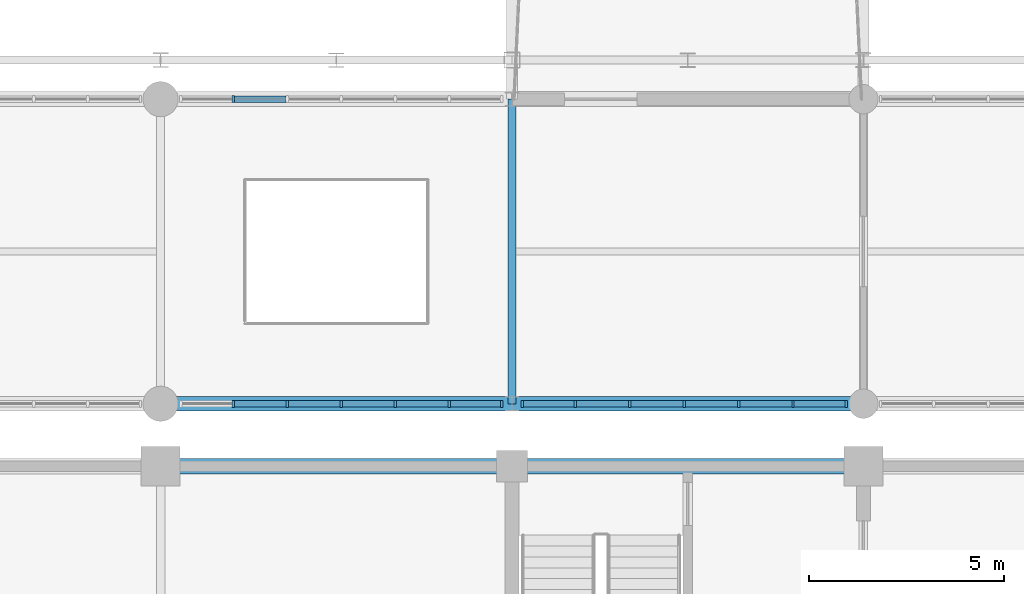
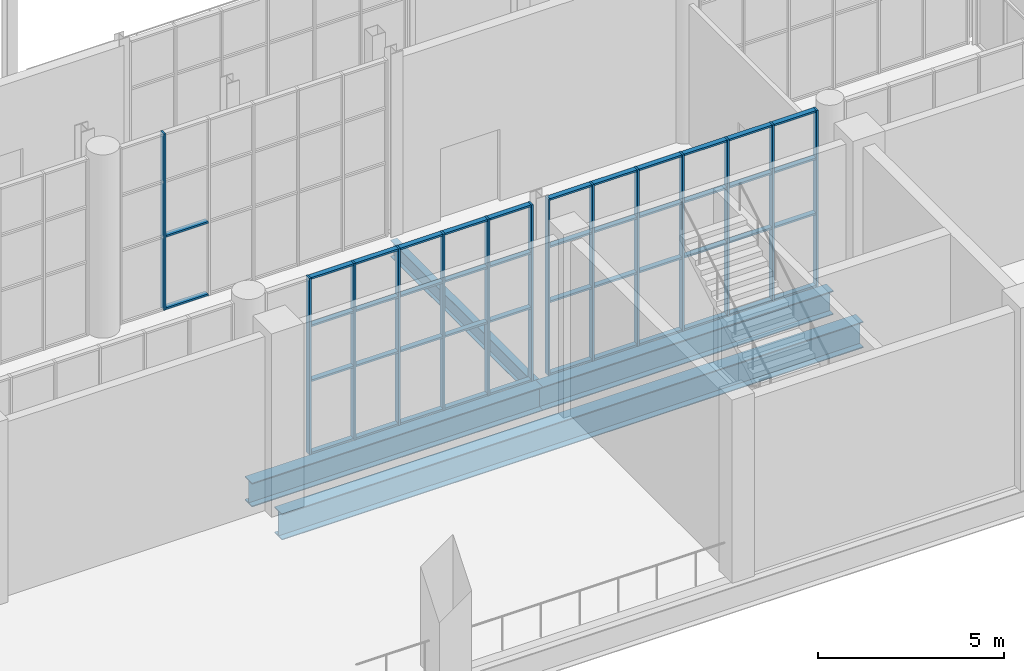
# One storey, part 65 of 159: 60 members, 4 beams, 3 elements without a shape of their own.
"""IFC4 building model written with IfcOpenShell, lengths in metres."""

from ifc_helpers import new_model, si_unit, direction, frame, origin, origin_2d, place, context, subcontext, project, spatial, rectangle, i_section, extrude, material, layer, layer_set, material_profile, profile_set, type_object, element, aggregate, save


model = new_model("IFC4")

# Units and contexts
model_context = context("Model", 3, precision=1e-05, world=origin(), true_north=direction((0.0, 1.0)))
body_context = subcontext(model_context, "Body", "Model", "MODEL_VIEW")
ifc_project = project(units=[si_unit("LENGTHUNIT", "METRE"), si_unit("AREAUNIT", "SQUARE_METRE"), si_unit("VOLUMEUNIT", "CUBIC_METRE"), si_unit("PLANEANGLEUNIT", "RADIAN"), si_unit("MASSUNIT", "GRAM", prefix="KILO")], contexts=[model_context])

# Site, building, storey
site_placement = place(None, origin())
site = spatial("IfcSite", under=ifc_project, at=site_placement, CompositionType="ELEMENT")
building_placement = place(site_placement, origin())
building = spatial("IfcBuilding", under=site, at=building_placement, Name="Cazmaro Siding Exhibition Halls", CompositionType="ELEMENT")
storey_placement = place(building_placement, frame((0.0, 0.0, 6.0)))
storey = spatial("IfcBuildingStorey", under=building, at=storey_placement, Name="L01", CompositionType="ELEMENT", Elevation=6.0)

# Beam
ifc_material_1 = material(Name="Steel ASTM A992 Grade 50", Category="steel")
ifc_material_profile_1 = material_profile(ifc_material_1, i_section(OverallWidth=0.2099609375, OverallDepth=0.535888671875, WebThickness=0.010986328125, FlangeThickness=0.01708984375, at=origin_2d()), Name="W21X68")
ifc_profile_set_1 = profile_set([ifc_material_profile_1], Name="Steel ASTM A992 Grade 50")
beam_type_1 = type_object("IfcBeamType", Name="B-02", PredefinedType="BEAM", material=ifc_profile_set_1)
beam_1_placement = place(storey_placement, frame((135.0, 55.199951171875, -0.488037109375), z_axis=(0.0, 1.0, 0.0), x_axis=(-1.0, 0.0, 0.0)))
element("IfcBeam", 1, at=beam_1_placement, inside=storey, type_object=beam_type_1, Name="Beam B-02 BM-1717", PredefinedType="BEAM", context=body_context, shape_type="SweptSolid", body=[
    extrude(i_section(OverallWidth=0.2099609375, OverallDepth=0.535888671875, WebThickness=0.010986328125, FlangeThickness=0.01708984375, at=origin_2d()), origin(), (0.0, 0.0, 1.0), 7.800048828125),
])

# Curtain wall, members
ifc_material_2 = material(Name="Anodized Bronze Aluminum and Solar-Control Low-E Glazing", Category="aluminium")
ifc_layer = layer(ifc_material_2, 0.179931640625)
ifc_layer_set = layer_set([ifc_layer], Name="Anodized Bronze Aluminum and Solar-Control Low-E Glazing")
curtain_wall_type = type_object("IfcCurtainWallType", Name="CWS-01", PredefinedType="USERDEFINED", material=ifc_layer_set)
curtain_wall_1_placement = place(storey_placement, origin())
curtain_wall_1 = element("IfcCurtainWall", 2, at=curtain_wall_1_placement, inside=storey, type_object=curtain_wall_type, Name="Glazed Curtain Wall CWS-01 CW-192", ObjectType="GLAZED CURTAIN WALL", PredefinedType="USERDEFINED")
ifc_material_3 = material(Name="Anodized Bronze Extruded Aluminum", Category="aluminium")
ifc_material_profile_2 = material_profile(ifc_material_3, rectangle(XDim=0.179931640625, YDim=0.06005859375, at=origin_2d()), Name="CWM-01")
ifc_profile_set_2 = profile_set([ifc_material_profile_2], Name="Anodized Bronze Extruded Aluminum")
member_type_1 = type_object("IfcMemberType", Name="CWM-01", PredefinedType="MULLION", material=ifc_profile_set_2)
member_1_placement = place(storey_placement, frame((127.8642578125, 55.199951171875, 0.0), z_axis=(0.0, 0.0, 1.0), x_axis=(0.0, 1.0, 0.0)))
member_1 = element("IfcMember", 3, at=member_1_placement, type_object=member_type_1, Name="CWS-01 mullion 2", PredefinedType="MULLION", context=body_context, shape_type="SweptSolid", body=[
    extrude(rectangle(XDim=0.179931640625, YDim=0.06005859375, at=origin_2d()), origin(), (0.0, 0.0, 1.0), 5.780029296875),
])
member_2_placement = place(storey_placement, frame((129.245361328125, 55.199951171875, 0.0), z_axis=(0.0, 0.0, 1.0), x_axis=(0.0, 1.0, 0.0)))
member_2 = element("IfcMember", 4, at=member_2_placement, type_object=member_type_1, Name="CWS-01 mullion 3", PredefinedType="MULLION", context=body_context, shape_type="SweptSolid", body=[
    extrude(rectangle(XDim=0.179931640625, YDim=0.06005859375, at=origin_2d()), origin(), (0.0, 0.0, 1.0), 5.780029296875),
])
member_3_placement = place(storey_placement, frame((130.62646484375, 55.199951171875, 0.0), z_axis=(0.0, 0.0, 1.0), x_axis=(0.0, 1.0, 0.0)))
member_3 = element("IfcMember", 5, at=member_3_placement, type_object=member_type_1, Name="CWS-01 mullion 4", PredefinedType="MULLION", context=body_context, shape_type="SweptSolid", body=[
    extrude(rectangle(XDim=0.179931640625, YDim=0.06005859375, at=origin_2d()), origin(), (0.0, 0.0, 1.0), 5.780029296875),
])
member_4_placement = place(storey_placement, frame((132.007568359375, 55.199951171875, 0.0), z_axis=(0.0, 0.0, 1.0), x_axis=(0.0, 1.0, 0.0)))
member_4 = element("IfcMember", 6, at=member_4_placement, type_object=member_type_1, Name="CWS-01 mullion 5", PredefinedType="MULLION", context=body_context, shape_type="SweptSolid", body=[
    extrude(rectangle(XDim=0.179931640625, YDim=0.06005859375, at=origin_2d()), origin(), (0.0, 0.0, 1.0), 5.780029296875),
])
member_5_placement = place(storey_placement, frame((133.388916015625, 55.199951171875, 0.0), z_axis=(0.0, 0.0, 1.0), x_axis=(0.0, 1.0, 0.0)))
member_5 = element("IfcMember", 7, at=member_5_placement, type_object=member_type_1, Name="CWS-01 mullion 6", PredefinedType="MULLION", context=body_context, shape_type="SweptSolid", body=[
    extrude(rectangle(XDim=0.179931640625, YDim=0.06005859375, at=origin_2d()), origin(), (0.0, 0.0, 1.0), 5.780029296875),
])
member_6_placement = place(storey_placement, frame((134.739990234375, 55.199951171875, 0.0), z_axis=(0.0, 0.0, 1.0), x_axis=(0.0, 1.0, 0.0)))
member_6 = element("IfcMember", 8, at=member_6_placement, type_object=member_type_1, Name="CWS-01 mullion 7", PredefinedType="MULLION", context=body_context, shape_type="SweptSolid", body=[
    extrude(rectangle(XDim=0.179931640625, YDim=0.06005859375, at=origin_2d()), origin(), (0.0, 0.0, 1.0), 5.780029296875),
])

# Curtain wall, member
curtain_wall_2_placement = place(storey_placement, origin())
curtain_wall_2 = element("IfcCurtainWall", 9, at=curtain_wall_2_placement, inside=storey, type_object=curtain_wall_type, Name="Glazed Curtain Wall CWS-01 CW-194", ObjectType="GLAZED CURTAIN WALL", PredefinedType="USERDEFINED")
member_7_placement = place(storey_placement, frame((127.8642578125, 63.0, 0.0), z_axis=(0.0, 0.0, 1.0), x_axis=(0.0, -1.0, 0.0)))
member_7 = element("IfcMember", 10, at=member_7_placement, type_object=member_type_1, Name="CWS-01 mullion 6", PredefinedType="MULLION", context=body_context, shape_type="SweptSolid", body=[
    extrude(rectangle(XDim=0.179931640625, YDim=0.06005859375, at=origin_2d()), origin(), (0.0, 0.0, 1.0), 5.780029296875),
])

# Curtain wall, members
curtain_wall_3_placement = place(storey_placement, origin())
curtain_wall_3 = element("IfcCurtainWall", 11, at=curtain_wall_3_placement, inside=storey, type_object=curtain_wall_type, Name="Glazed Curtain Wall CWS-01 CW-198", ObjectType="GLAZED CURTAIN WALL", PredefinedType="USERDEFINED")
member_8_placement = place(storey_placement, frame((135.260009765625, 55.199951171875, 0.0), z_axis=(0.0, 0.0, 1.0), x_axis=(0.0, 1.0, 0.0)))
member_8 = element("IfcMember", 12, at=member_8_placement, type_object=member_type_1, Name="CWS-01 mullion 1", PredefinedType="MULLION", context=body_context, shape_type="SweptSolid", body=[
    extrude(rectangle(XDim=0.179931640625, YDim=0.06005859375, at=origin_2d()), origin(), (0.0, 0.0, 1.0), 5.780029296875),
])
member_9_placement = place(storey_placement, frame((136.623779296875, 55.199951171875, 0.0), z_axis=(0.0, 0.0, 1.0), x_axis=(0.0, 1.0, 0.0)))
member_9 = element("IfcMember", 13, at=member_9_placement, type_object=member_type_1, Name="CWS-01 mullion 2", PredefinedType="MULLION", context=body_context, shape_type="SweptSolid", body=[
    extrude(rectangle(XDim=0.179931640625, YDim=0.06005859375, at=origin_2d()), origin(), (0.0, 0.0, 1.0), 5.780029296875),
])
member_10_placement = place(storey_placement, frame((138.017333984375, 55.199951171875, 0.0), z_axis=(0.0, 0.0, 1.0), x_axis=(0.0, 1.0, 0.0)))
member_10 = element("IfcMember", 14, at=member_10_placement, type_object=member_type_1, Name="CWS-01 mullion 3", PredefinedType="MULLION", context=body_context, shape_type="SweptSolid", body=[
    extrude(rectangle(XDim=0.179931640625, YDim=0.06005859375, at=origin_2d()), origin(), (0.0, 0.0, 1.0), 5.780029296875),
])
member_11_placement = place(storey_placement, frame((139.410888671875, 55.199951171875, 0.0), z_axis=(0.0, 0.0, 1.0), x_axis=(0.0, 1.0, 0.0)))
member_11 = element("IfcMember", 15, at=member_11_placement, type_object=member_type_1, Name="CWS-01 mullion 4", PredefinedType="MULLION", context=body_context, shape_type="SweptSolid", body=[
    extrude(rectangle(XDim=0.179931640625, YDim=0.06005859375, at=origin_2d()), origin(), (0.0, 0.0, 1.0), 5.780029296875),
])
member_12_placement = place(storey_placement, frame((140.8046875, 55.199951171875, 0.0), z_axis=(0.0, 0.0, 1.0), x_axis=(0.0, 1.0, 0.0)))
member_12 = element("IfcMember", 16, at=member_12_placement, type_object=member_type_1, Name="CWS-01 mullion 5", PredefinedType="MULLION", context=body_context, shape_type="SweptSolid", body=[
    extrude(rectangle(XDim=0.179931640625, YDim=0.06005859375, at=origin_2d()), origin(), (0.0, 0.0, 1.0), 5.780029296875),
])
member_13_placement = place(storey_placement, frame((142.1982421875, 55.199951171875, 0.0), z_axis=(0.0, 0.0, 1.0), x_axis=(0.0, 1.0, 0.0)))
member_13 = element("IfcMember", 17, at=member_13_placement, type_object=member_type_1, Name="CWS-01 mullion 6", PredefinedType="MULLION", context=body_context, shape_type="SweptSolid", body=[
    extrude(rectangle(XDim=0.179931640625, YDim=0.06005859375, at=origin_2d()), origin(), (0.0, 0.0, 1.0), 5.780029296875),
])
member_14_placement = place(storey_placement, frame((143.56201171875, 55.199951171875, 0.0), z_axis=(0.0, 0.0, 1.0), x_axis=(0.0, 1.0, 0.0)))
member_14 = element("IfcMember", 18, at=member_14_placement, type_object=member_type_1, Name="CWS-01 mullion 7", PredefinedType="MULLION", context=body_context, shape_type="SweptSolid", body=[
    extrude(rectangle(XDim=0.179931640625, YDim=0.06005859375, at=origin_2d()), origin(), (0.0, 0.0, 1.0), 5.780029296875),
])

# Member
ifc_material_4 = material(Name="Anodized Bronze Extruded Aluminum", Category="aluminium")
ifc_material_profile_3 = material_profile(ifc_material_4, rectangle(XDim=0.159912109375, YDim=0.06005859375, at=origin_2d()), Name="CWT-01")
ifc_profile_set_3 = profile_set([ifc_material_profile_3], Name="Anodized Bronze Extruded Aluminum")
member_type_2 = type_object("IfcMemberType", Name="CWT-01", PredefinedType="MULLION", material=ifc_profile_set_3)
member_15_placement = place(storey_placement, frame((127.894287109375, 55.199951171875, 0.030029296875), z_axis=(1.0, 0.0, 0.0), x_axis=(0.0, 1.0, 0.0)))
member_15 = element("IfcMember", 19, at=member_15_placement, type_object=member_type_2, Name="CWS-01 transom 2.1", ObjectType="TRANSOM", PredefinedType="USERDEFINED", context=body_context, shape_type="SweptSolid", body=[
    extrude(rectangle(XDim=0.159912109375, YDim=0.06005859375, at=origin_2d()), origin(), (0.0, 0.0, 1.0), 1.321044921875),
])

member_16_placement = place(storey_placement, frame((127.894287109375, 55.199951171875, 2.39990234375), z_axis=(1.0, 0.0, 0.0), x_axis=(0.0, 1.0, 0.0)))
member_16 = element("IfcMember", 20, at=member_16_placement, type_object=member_type_2, Name="CWS-01 transom 2.2", ObjectType="TRANSOM", PredefinedType="USERDEFINED", context=body_context, shape_type="SweptSolid", body=[
    extrude(rectangle(XDim=0.159912109375, YDim=0.06005859375, at=origin_2d()), origin(), (0.0, 0.0, 1.0), 1.321044921875),
])

member_17_placement = place(storey_placement, frame((127.894287109375, 55.199951171875, 4.199951171875), z_axis=(1.0, 0.0, 0.0), x_axis=(0.0, 1.0, 0.0)))
member_17 = element("IfcMember", 21, at=member_17_placement, type_object=member_type_2, Name="CWS-01 transom 2.3", ObjectType="TRANSOM", PredefinedType="USERDEFINED", context=body_context, shape_type="SweptSolid", body=[
    extrude(rectangle(XDim=0.159912109375, YDim=0.06005859375, at=origin_2d()), origin(), (0.0, 0.0, 1.0), 1.321044921875),
])

member_18_placement = place(storey_placement, frame((127.894287109375, 55.199951171875, 5.75), z_axis=(1.0, 0.0, 0.0), x_axis=(0.0, 1.0, 0.0)))
member_18 = element("IfcMember", 22, at=member_18_placement, type_object=member_type_2, Name="CWS-01 transom 2.4", ObjectType="TRANSOM", PredefinedType="USERDEFINED", context=body_context, shape_type="SweptSolid", body=[
    extrude(rectangle(XDim=0.159912109375, YDim=0.06005859375, at=origin_2d()), origin(), (0.0, 0.0, 1.0), 1.321044921875),
])

member_19_placement = place(storey_placement, frame((129.275390625, 55.199951171875, 0.030029296875), z_axis=(1.0, 0.0, 0.0), x_axis=(0.0, 1.0, 0.0)))
member_19 = element("IfcMember", 23, at=member_19_placement, type_object=member_type_2, Name="CWS-01 transom 3.1", ObjectType="TRANSOM", PredefinedType="USERDEFINED", context=body_context, shape_type="SweptSolid", body=[
    extrude(rectangle(XDim=0.159912109375, YDim=0.06005859375, at=origin_2d()), origin(), (0.0, 0.0, 1.0), 1.321044921875),
])

member_20_placement = place(storey_placement, frame((129.275390625, 55.199951171875, 2.39990234375), z_axis=(1.0, 0.0, 0.0), x_axis=(0.0, 1.0, 0.0)))
member_20 = element("IfcMember", 24, at=member_20_placement, type_object=member_type_2, Name="CWS-01 transom 3.2", ObjectType="TRANSOM", PredefinedType="USERDEFINED", context=body_context, shape_type="SweptSolid", body=[
    extrude(rectangle(XDim=0.159912109375, YDim=0.06005859375, at=origin_2d()), origin(), (0.0, 0.0, 1.0), 1.321044921875),
])

member_21_placement = place(storey_placement, frame((129.275390625, 55.199951171875, 4.199951171875), z_axis=(1.0, 0.0, 0.0), x_axis=(0.0, 1.0, 0.0)))
member_21 = element("IfcMember", 25, at=member_21_placement, type_object=member_type_2, Name="CWS-01 transom 3.3", ObjectType="TRANSOM", PredefinedType="USERDEFINED", context=body_context, shape_type="SweptSolid", body=[
    extrude(rectangle(XDim=0.159912109375, YDim=0.06005859375, at=origin_2d()), origin(), (0.0, 0.0, 1.0), 1.321044921875),
])

member_22_placement = place(storey_placement, frame((129.275390625, 55.199951171875, 5.75), z_axis=(1.0, 0.0, 0.0), x_axis=(0.0, 1.0, 0.0)))
member_22 = element("IfcMember", 26, at=member_22_placement, type_object=member_type_2, Name="CWS-01 transom 3.4", ObjectType="TRANSOM", PredefinedType="USERDEFINED", context=body_context, shape_type="SweptSolid", body=[
    extrude(rectangle(XDim=0.159912109375, YDim=0.06005859375, at=origin_2d()), origin(), (0.0, 0.0, 1.0), 1.321044921875),
])

member_23_placement = place(storey_placement, frame((130.656494140625, 55.199951171875, 0.030029296875), z_axis=(1.0, 0.0, 0.0), x_axis=(0.0, 1.0, 0.0)))
member_23 = element("IfcMember", 27, at=member_23_placement, type_object=member_type_2, Name="CWS-01 transom 4.1", ObjectType="TRANSOM", PredefinedType="USERDEFINED", context=body_context, shape_type="SweptSolid", body=[
    extrude(rectangle(XDim=0.159912109375, YDim=0.06005859375, at=origin_2d()), origin(), (0.0, 0.0, 1.0), 1.3212890625),
])

member_24_placement = place(storey_placement, frame((130.656494140625, 55.199951171875, 2.39990234375), z_axis=(1.0, 0.0, 0.0), x_axis=(0.0, 1.0, 0.0)))
member_24 = element("IfcMember", 28, at=member_24_placement, type_object=member_type_2, Name="CWS-01 transom 4.2", ObjectType="TRANSOM", PredefinedType="USERDEFINED", context=body_context, shape_type="SweptSolid", body=[
    extrude(rectangle(XDim=0.159912109375, YDim=0.06005859375, at=origin_2d()), origin(), (0.0, 0.0, 1.0), 1.3212890625),
])

member_25_placement = place(storey_placement, frame((130.656494140625, 55.199951171875, 4.199951171875), z_axis=(1.0, 0.0, 0.0), x_axis=(0.0, 1.0, 0.0)))
member_25 = element("IfcMember", 29, at=member_25_placement, type_object=member_type_2, Name="CWS-01 transom 4.3", ObjectType="TRANSOM", PredefinedType="USERDEFINED", context=body_context, shape_type="SweptSolid", body=[
    extrude(rectangle(XDim=0.159912109375, YDim=0.06005859375, at=origin_2d()), origin(), (0.0, 0.0, 1.0), 1.3212890625),
])

member_26_placement = place(storey_placement, frame((130.656494140625, 55.199951171875, 5.75), z_axis=(1.0, 0.0, 0.0), x_axis=(0.0, 1.0, 0.0)))
member_26 = element("IfcMember", 30, at=member_26_placement, type_object=member_type_2, Name="CWS-01 transom 4.4", ObjectType="TRANSOM", PredefinedType="USERDEFINED", context=body_context, shape_type="SweptSolid", body=[
    extrude(rectangle(XDim=0.159912109375, YDim=0.06005859375, at=origin_2d()), origin(), (0.0, 0.0, 1.0), 1.3212890625),
])

member_27_placement = place(storey_placement, frame((132.03759765625, 55.199951171875, 0.030029296875), z_axis=(1.0, 0.0, 0.0), x_axis=(0.0, 1.0, 0.0)))
member_27 = element("IfcMember", 31, at=member_27_placement, type_object=member_type_2, Name="CWS-01 transom 5.1", ObjectType="TRANSOM", PredefinedType="USERDEFINED", context=body_context, shape_type="SweptSolid", body=[
    extrude(rectangle(XDim=0.159912109375, YDim=0.06005859375, at=origin_2d()), origin(), (0.0, 0.0, 1.0), 1.3212890625),
])

member_28_placement = place(storey_placement, frame((132.03759765625, 55.199951171875, 2.39990234375), z_axis=(1.0, 0.0, 0.0), x_axis=(0.0, 1.0, 0.0)))
member_28 = element("IfcMember", 32, at=member_28_placement, type_object=member_type_2, Name="CWS-01 transom 5.2", ObjectType="TRANSOM", PredefinedType="USERDEFINED", context=body_context, shape_type="SweptSolid", body=[
    extrude(rectangle(XDim=0.159912109375, YDim=0.06005859375, at=origin_2d()), origin(), (0.0, 0.0, 1.0), 1.3212890625),
])

member_29_placement = place(storey_placement, frame((132.03759765625, 55.199951171875, 4.199951171875), z_axis=(1.0, 0.0, 0.0), x_axis=(0.0, 1.0, 0.0)))
member_29 = element("IfcMember", 33, at=member_29_placement, type_object=member_type_2, Name="CWS-01 transom 5.3", ObjectType="TRANSOM", PredefinedType="USERDEFINED", context=body_context, shape_type="SweptSolid", body=[
    extrude(rectangle(XDim=0.159912109375, YDim=0.06005859375, at=origin_2d()), origin(), (0.0, 0.0, 1.0), 1.3212890625),
])

member_30_placement = place(storey_placement, frame((132.03759765625, 55.199951171875, 5.75), z_axis=(1.0, 0.0, 0.0), x_axis=(0.0, 1.0, 0.0)))
member_30 = element("IfcMember", 34, at=member_30_placement, type_object=member_type_2, Name="CWS-01 transom 5.4", ObjectType="TRANSOM", PredefinedType="USERDEFINED", context=body_context, shape_type="SweptSolid", body=[
    extrude(rectangle(XDim=0.159912109375, YDim=0.06005859375, at=origin_2d()), origin(), (0.0, 0.0, 1.0), 1.3212890625),
])

member_31_placement = place(storey_placement, frame((133.4189453125, 55.199951171875, 0.030029296875), z_axis=(1.0, 0.0, 0.0), x_axis=(0.0, 1.0, 0.0)))
member_31 = element("IfcMember", 35, at=member_31_placement, type_object=member_type_2, Name="CWS-01 transom 6.1", ObjectType="TRANSOM", PredefinedType="USERDEFINED", context=body_context, shape_type="SweptSolid", body=[
    extrude(rectangle(XDim=0.159912109375, YDim=0.06005859375, at=origin_2d()), origin(), (0.0, 0.0, 1.0), 1.291015625),
])

member_32_placement = place(storey_placement, frame((133.4189453125, 55.199951171875, 2.39990234375), z_axis=(1.0, 0.0, 0.0), x_axis=(0.0, 1.0, 0.0)))
member_32 = element("IfcMember", 36, at=member_32_placement, type_object=member_type_2, Name="CWS-01 transom 6.2", ObjectType="TRANSOM", PredefinedType="USERDEFINED", context=body_context, shape_type="SweptSolid", body=[
    extrude(rectangle(XDim=0.159912109375, YDim=0.06005859375, at=origin_2d()), origin(), (0.0, 0.0, 1.0), 1.291015625),
])

member_33_placement = place(storey_placement, frame((133.4189453125, 55.199951171875, 4.199951171875), z_axis=(1.0, 0.0, 0.0), x_axis=(0.0, 1.0, 0.0)))
member_33 = element("IfcMember", 37, at=member_33_placement, type_object=member_type_2, Name="CWS-01 transom 6.3", ObjectType="TRANSOM", PredefinedType="USERDEFINED", context=body_context, shape_type="SweptSolid", body=[
    extrude(rectangle(XDim=0.159912109375, YDim=0.06005859375, at=origin_2d()), origin(), (0.0, 0.0, 1.0), 1.291015625),
])

member_34_placement = place(storey_placement, frame((133.4189453125, 55.199951171875, 5.75), z_axis=(1.0, 0.0, 0.0), x_axis=(0.0, 1.0, 0.0)))
member_34 = element("IfcMember", 38, at=member_34_placement, type_object=member_type_2, Name="CWS-01 transom 6.4", ObjectType="TRANSOM", PredefinedType="USERDEFINED", context=body_context, shape_type="SweptSolid", body=[
    extrude(rectangle(XDim=0.159912109375, YDim=0.06005859375, at=origin_2d()), origin(), (0.0, 0.0, 1.0), 1.291015625),
])

aggregate(curtain_wall_1, [member_1, member_2, member_3, member_4, member_5, member_6, member_15, member_16, member_17, member_18, member_19, member_20, member_21, member_22, member_23, member_24, member_25, member_26, member_27, member_28, member_29, member_30, member_31, member_32, member_33, member_34])

member_35_placement = place(storey_placement, frame((129.21533203125, 63.0, 0.030029296875), z_axis=(-1.0, 0.0, 0.0), x_axis=(0.0, -1.0, 0.0)))
member_35 = element("IfcMember", 39, at=member_35_placement, type_object=member_type_2, Name="CWS-01 transom 5.1", ObjectType="TRANSOM", PredefinedType="USERDEFINED", context=body_context, shape_type="SweptSolid", body=[
    extrude(rectangle(XDim=0.159912109375, YDim=0.06005859375, at=origin_2d()), origin(), (0.0, 0.0, 1.0), 1.321044921875),
])

member_36_placement = place(storey_placement, frame((129.21533203125, 63.0, 2.39990234375), z_axis=(-1.0, 0.0, 0.0), x_axis=(0.0, -1.0, 0.0)))
member_36 = element("IfcMember", 40, at=member_36_placement, type_object=member_type_2, Name="CWS-01 transom 5.2", ObjectType="TRANSOM", PredefinedType="USERDEFINED", context=body_context, shape_type="SweptSolid", body=[
    extrude(rectangle(XDim=0.159912109375, YDim=0.06005859375, at=origin_2d()), origin(), (0.0, 0.0, 1.0), 1.321044921875),
])

aggregate(curtain_wall_2, [member_7, member_35, member_36])

member_37_placement = place(storey_placement, frame((135.2900390625, 55.199951171875, 0.030029296875), z_axis=(1.0, 0.0, 0.0), x_axis=(0.0, 1.0, 0.0)))
member_37 = element("IfcMember", 41, at=member_37_placement, type_object=member_type_2, Name="CWS-01 transom 1.1", ObjectType="TRANSOM", PredefinedType="USERDEFINED", context=body_context, shape_type="SweptSolid", body=[
    extrude(rectangle(XDim=0.159912109375, YDim=0.06005859375, at=origin_2d()), origin(), (0.0, 0.0, 1.0), 1.3037109375),
])

member_38_placement = place(storey_placement, frame((135.2900390625, 55.199951171875, 2.39990234375), z_axis=(1.0, 0.0, 0.0), x_axis=(0.0, 1.0, 0.0)))
member_38 = element("IfcMember", 42, at=member_38_placement, type_object=member_type_2, Name="CWS-01 transom 1.2", ObjectType="TRANSOM", PredefinedType="USERDEFINED", context=body_context, shape_type="SweptSolid", body=[
    extrude(rectangle(XDim=0.159912109375, YDim=0.06005859375, at=origin_2d()), origin(), (0.0, 0.0, 1.0), 1.3037109375),
])

member_39_placement = place(storey_placement, frame((135.2900390625, 55.199951171875, 4.199951171875), z_axis=(1.0, 0.0, 0.0), x_axis=(0.0, 1.0, 0.0)))
member_39 = element("IfcMember", 43, at=member_39_placement, type_object=member_type_2, Name="CWS-01 transom 1.3", ObjectType="TRANSOM", PredefinedType="USERDEFINED", context=body_context, shape_type="SweptSolid", body=[
    extrude(rectangle(XDim=0.159912109375, YDim=0.06005859375, at=origin_2d()), origin(), (0.0, 0.0, 1.0), 1.3037109375),
])

member_40_placement = place(storey_placement, frame((135.2900390625, 55.199951171875, 5.75), z_axis=(1.0, 0.0, 0.0), x_axis=(0.0, 1.0, 0.0)))
member_40 = element("IfcMember", 44, at=member_40_placement, type_object=member_type_2, Name="CWS-01 transom 1.4", ObjectType="TRANSOM", PredefinedType="USERDEFINED", context=body_context, shape_type="SweptSolid", body=[
    extrude(rectangle(XDim=0.159912109375, YDim=0.06005859375, at=origin_2d()), origin(), (0.0, 0.0, 1.0), 1.3037109375),
])

member_41_placement = place(storey_placement, frame((136.653564453125, 55.199951171875, 0.030029296875), z_axis=(1.0, 0.0, 0.0), x_axis=(0.0, 1.0, 0.0)))
member_41 = element("IfcMember", 45, at=member_41_placement, type_object=member_type_2, Name="CWS-01 transom 2.1", ObjectType="TRANSOM", PredefinedType="USERDEFINED", context=body_context, shape_type="SweptSolid", body=[
    extrude(rectangle(XDim=0.159912109375, YDim=0.06005859375, at=origin_2d()), origin(), (0.0, 0.0, 1.0), 1.333740234375),
])

member_42_placement = place(storey_placement, frame((136.653564453125, 55.199951171875, 2.39990234375), z_axis=(1.0, 0.0, 0.0), x_axis=(0.0, 1.0, 0.0)))
member_42 = element("IfcMember", 46, at=member_42_placement, type_object=member_type_2, Name="CWS-01 transom 2.2", ObjectType="TRANSOM", PredefinedType="USERDEFINED", context=body_context, shape_type="SweptSolid", body=[
    extrude(rectangle(XDim=0.159912109375, YDim=0.06005859375, at=origin_2d()), origin(), (0.0, 0.0, 1.0), 1.333740234375),
])

member_43_placement = place(storey_placement, frame((136.653564453125, 55.199951171875, 4.199951171875), z_axis=(1.0, 0.0, 0.0), x_axis=(0.0, 1.0, 0.0)))
member_43 = element("IfcMember", 47, at=member_43_placement, type_object=member_type_2, Name="CWS-01 transom 2.3", ObjectType="TRANSOM", PredefinedType="USERDEFINED", context=body_context, shape_type="SweptSolid", body=[
    extrude(rectangle(XDim=0.159912109375, YDim=0.06005859375, at=origin_2d()), origin(), (0.0, 0.0, 1.0), 1.333740234375),
])

member_44_placement = place(storey_placement, frame((136.653564453125, 55.199951171875, 5.75), z_axis=(1.0, 0.0, 0.0), x_axis=(0.0, 1.0, 0.0)))
member_44 = element("IfcMember", 48, at=member_44_placement, type_object=member_type_2, Name="CWS-01 transom 2.4", ObjectType="TRANSOM", PredefinedType="USERDEFINED", context=body_context, shape_type="SweptSolid", body=[
    extrude(rectangle(XDim=0.159912109375, YDim=0.06005859375, at=origin_2d()), origin(), (0.0, 0.0, 1.0), 1.333740234375),
])

member_45_placement = place(storey_placement, frame((138.04736328125, 55.199951171875, 0.030029296875), z_axis=(1.0, 0.0, 0.0), x_axis=(0.0, 1.0, 0.0)))
member_45 = element("IfcMember", 49, at=member_45_placement, type_object=member_type_2, Name="CWS-01 transom 3.1", ObjectType="TRANSOM", PredefinedType="USERDEFINED", context=body_context, shape_type="SweptSolid", body=[
    extrude(rectangle(XDim=0.159912109375, YDim=0.06005859375, at=origin_2d()), origin(), (0.0, 0.0, 1.0), 1.333740234375),
])

member_46_placement = place(storey_placement, frame((138.04736328125, 55.199951171875, 2.39990234375), z_axis=(1.0, 0.0, 0.0), x_axis=(0.0, 1.0, 0.0)))
member_46 = element("IfcMember", 50, at=member_46_placement, type_object=member_type_2, Name="CWS-01 transom 3.2", ObjectType="TRANSOM", PredefinedType="USERDEFINED", context=body_context, shape_type="SweptSolid", body=[
    extrude(rectangle(XDim=0.159912109375, YDim=0.06005859375, at=origin_2d()), origin(), (0.0, 0.0, 1.0), 1.333740234375),
])

member_47_placement = place(storey_placement, frame((138.04736328125, 55.199951171875, 4.199951171875), z_axis=(1.0, 0.0, 0.0), x_axis=(0.0, 1.0, 0.0)))
member_47 = element("IfcMember", 51, at=member_47_placement, type_object=member_type_2, Name="CWS-01 transom 3.3", ObjectType="TRANSOM", PredefinedType="USERDEFINED", context=body_context, shape_type="SweptSolid", body=[
    extrude(rectangle(XDim=0.159912109375, YDim=0.06005859375, at=origin_2d()), origin(), (0.0, 0.0, 1.0), 1.333740234375),
])

member_48_placement = place(storey_placement, frame((138.04736328125, 55.199951171875, 5.75), z_axis=(1.0, 0.0, 0.0), x_axis=(0.0, 1.0, 0.0)))
member_48 = element("IfcMember", 52, at=member_48_placement, type_object=member_type_2, Name="CWS-01 transom 3.4", ObjectType="TRANSOM", PredefinedType="USERDEFINED", context=body_context, shape_type="SweptSolid", body=[
    extrude(rectangle(XDim=0.159912109375, YDim=0.06005859375, at=origin_2d()), origin(), (0.0, 0.0, 1.0), 1.333740234375),
])

member_49_placement = place(storey_placement, frame((139.44091796875, 55.199951171875, 0.030029296875), z_axis=(1.0, 0.0, 0.0), x_axis=(0.0, 1.0, 0.0)))
member_49 = element("IfcMember", 53, at=member_49_placement, type_object=member_type_2, Name="CWS-01 transom 4.1", ObjectType="TRANSOM", PredefinedType="USERDEFINED", context=body_context, shape_type="SweptSolid", body=[
    extrude(rectangle(XDim=0.159912109375, YDim=0.06005859375, at=origin_2d()), origin(), (0.0, 0.0, 1.0), 1.333740234375),
])

member_50_placement = place(storey_placement, frame((139.44091796875, 55.199951171875, 2.39990234375), z_axis=(1.0, 0.0, 0.0), x_axis=(0.0, 1.0, 0.0)))
member_50 = element("IfcMember", 54, at=member_50_placement, type_object=member_type_2, Name="CWS-01 transom 4.2", ObjectType="TRANSOM", PredefinedType="USERDEFINED", context=body_context, shape_type="SweptSolid", body=[
    extrude(rectangle(XDim=0.159912109375, YDim=0.06005859375, at=origin_2d()), origin(), (0.0, 0.0, 1.0), 1.333740234375),
])

member_51_placement = place(storey_placement, frame((139.44091796875, 55.199951171875, 4.199951171875), z_axis=(1.0, 0.0, 0.0), x_axis=(0.0, 1.0, 0.0)))
member_51 = element("IfcMember", 55, at=member_51_placement, type_object=member_type_2, Name="CWS-01 transom 4.3", ObjectType="TRANSOM", PredefinedType="USERDEFINED", context=body_context, shape_type="SweptSolid", body=[
    extrude(rectangle(XDim=0.159912109375, YDim=0.06005859375, at=origin_2d()), origin(), (0.0, 0.0, 1.0), 1.333740234375),
])

member_52_placement = place(storey_placement, frame((139.44091796875, 55.199951171875, 5.75), z_axis=(1.0, 0.0, 0.0), x_axis=(0.0, 1.0, 0.0)))
member_52 = element("IfcMember", 56, at=member_52_placement, type_object=member_type_2, Name="CWS-01 transom 4.4", ObjectType="TRANSOM", PredefinedType="USERDEFINED", context=body_context, shape_type="SweptSolid", body=[
    extrude(rectangle(XDim=0.159912109375, YDim=0.06005859375, at=origin_2d()), origin(), (0.0, 0.0, 1.0), 1.333740234375),
])

member_53_placement = place(storey_placement, frame((140.834716796875, 55.199951171875, 0.030029296875), z_axis=(1.0, 0.0, 0.0), x_axis=(0.0, 1.0, 0.0)))
member_53 = element("IfcMember", 57, at=member_53_placement, type_object=member_type_2, Name="CWS-01 transom 5.1", ObjectType="TRANSOM", PredefinedType="USERDEFINED", context=body_context, shape_type="SweptSolid", body=[
    extrude(rectangle(XDim=0.159912109375, YDim=0.06005859375, at=origin_2d()), origin(), (0.0, 0.0, 1.0), 1.33349609375),
])

member_54_placement = place(storey_placement, frame((140.834716796875, 55.199951171875, 2.39990234375), z_axis=(1.0, 0.0, 0.0), x_axis=(0.0, 1.0, 0.0)))
member_54 = element("IfcMember", 58, at=member_54_placement, type_object=member_type_2, Name="CWS-01 transom 5.2", ObjectType="TRANSOM", PredefinedType="USERDEFINED", context=body_context, shape_type="SweptSolid", body=[
    extrude(rectangle(XDim=0.159912109375, YDim=0.06005859375, at=origin_2d()), origin(), (0.0, 0.0, 1.0), 1.33349609375),
])

member_55_placement = place(storey_placement, frame((140.834716796875, 55.199951171875, 4.199951171875), z_axis=(1.0, 0.0, 0.0), x_axis=(0.0, 1.0, 0.0)))
member_55 = element("IfcMember", 59, at=member_55_placement, type_object=member_type_2, Name="CWS-01 transom 5.3", ObjectType="TRANSOM", PredefinedType="USERDEFINED", context=body_context, shape_type="SweptSolid", body=[
    extrude(rectangle(XDim=0.159912109375, YDim=0.06005859375, at=origin_2d()), origin(), (0.0, 0.0, 1.0), 1.33349609375),
])

member_56_placement = place(storey_placement, frame((140.834716796875, 55.199951171875, 5.75), z_axis=(1.0, 0.0, 0.0), x_axis=(0.0, 1.0, 0.0)))
member_56 = element("IfcMember", 60, at=member_56_placement, type_object=member_type_2, Name="CWS-01 transom 5.4", ObjectType="TRANSOM", PredefinedType="USERDEFINED", context=body_context, shape_type="SweptSolid", body=[
    extrude(rectangle(XDim=0.159912109375, YDim=0.06005859375, at=origin_2d()), origin(), (0.0, 0.0, 1.0), 1.33349609375),
])

member_57_placement = place(storey_placement, frame((142.228271484375, 55.199951171875, 0.030029296875), z_axis=(1.0, 0.0, 0.0), x_axis=(0.0, 1.0, 0.0)))
member_57 = element("IfcMember", 61, at=member_57_placement, type_object=member_type_2, Name="CWS-01 transom 6.1", ObjectType="TRANSOM", PredefinedType="USERDEFINED", context=body_context, shape_type="SweptSolid", body=[
    extrude(rectangle(XDim=0.159912109375, YDim=0.06005859375, at=origin_2d()), origin(), (0.0, 0.0, 1.0), 1.3037109375),
])

member_58_placement = place(storey_placement, frame((142.228271484375, 55.199951171875, 2.39990234375), z_axis=(1.0, 0.0, 0.0), x_axis=(0.0, 1.0, 0.0)))
member_58 = element("IfcMember", 62, at=member_58_placement, type_object=member_type_2, Name="CWS-01 transom 6.2", ObjectType="TRANSOM", PredefinedType="USERDEFINED", context=body_context, shape_type="SweptSolid", body=[
    extrude(rectangle(XDim=0.159912109375, YDim=0.06005859375, at=origin_2d()), origin(), (0.0, 0.0, 1.0), 1.3037109375),
])

member_59_placement = place(storey_placement, frame((142.228271484375, 55.199951171875, 4.199951171875), z_axis=(1.0, 0.0, 0.0), x_axis=(0.0, 1.0, 0.0)))
member_59 = element("IfcMember", 63, at=member_59_placement, type_object=member_type_2, Name="CWS-01 transom 6.3", ObjectType="TRANSOM", PredefinedType="USERDEFINED", context=body_context, shape_type="SweptSolid", body=[
    extrude(rectangle(XDim=0.159912109375, YDim=0.06005859375, at=origin_2d()), origin(), (0.0, 0.0, 1.0), 1.3037109375),
])

member_60_placement = place(storey_placement, frame((142.228271484375, 55.199951171875, 5.75), z_axis=(1.0, 0.0, 0.0), x_axis=(0.0, 1.0, 0.0)))
member_60 = element("IfcMember", 64, at=member_60_placement, type_object=member_type_2, Name="CWS-01 transom 6.4", ObjectType="TRANSOM", PredefinedType="USERDEFINED", context=body_context, shape_type="SweptSolid", body=[
    extrude(rectangle(XDim=0.159912109375, YDim=0.06005859375, at=origin_2d()), origin(), (0.0, 0.0, 1.0), 1.3037109375),
])

aggregate(curtain_wall_3, [member_8, member_9, member_10, member_11, member_12, member_13, member_14, member_37, member_38, member_39, member_40, member_41, member_42, member_43, member_44, member_45, member_46, member_47, member_48, member_49, member_50, member_51, member_52, member_53, member_54, member_55, member_56, member_57, member_58, member_59, member_60])

# Beams
ifc_material_5 = material(Name="Steel ASTM A992 Grade 50", Category="steel")
ifc_material_profile_4 = material_profile(ifc_material_5, i_section(OverallWidth=0.381103515625, OverallDepth=0.779052734375, WebThickness=0.01806640625, FlangeThickness=0.030029296875, at=origin_2d()), Name="W30X191")
ifc_profile_set_4 = profile_set([ifc_material_profile_4], Name="Steel ASTM A992 Grade 50")
beam_type_2 = type_object("IfcBeamType", Name="G-04", PredefinedType="USERDEFINED", material=ifc_profile_set_4)
for number, where, z_axis, x_axis, name in (
    (65, (126.0, 55.199951171875, -0.60888671875), (1.0, 0.0, 0.0), (0.0, 1.0, 0.0), "Beam G-04 BM-1653"),
    (66, (135.0, 55.199951171875, -0.60888671875), (1.0, 0.0, 0.0), (0.0, 1.0, 0.0), "Beam G-04 BM-1660"),
):
    element("IfcBeam", number, at=place(storey_placement, frame(where, z_axis=z_axis, x_axis=x_axis)), inside=storey, type_object=beam_type_2, Name=name, ObjectType="GIRDER", PredefinedType="USERDEFINED", context=body_context, shape_type="SweptSolid", body=[
        extrude(i_section(OverallWidth=0.381103515625, OverallDepth=0.779052734375, WebThickness=0.01806640625, FlangeThickness=0.030029296875, at=origin_2d()), origin(), (0.0, 0.0, 1.0), 9.0),
    ])
ifc_material_6 = material(Name="Steel ASTM A992 Grade 50", Category="steel")
ifc_material_profile_5 = material_profile(ifc_material_6, i_section(OverallWidth=0.40087890625, OverallDepth=0.85595703125, WebThickness=0.01806640625, FlangeThickness=0.029052734375, at=origin_2d()), Name="W33X201")
ifc_profile_set_5 = profile_set([ifc_material_profile_5], Name="Steel ASTM A992 Grade 50")
beam_type_3 = type_object("IfcBeamType", Name="G-09", PredefinedType="USERDEFINED", material=ifc_profile_set_5)
beam_2_placement = place(storey_placement, frame((126.0, 53.60009765625, -0.677978515625), z_axis=(1.0, 0.0, 0.0), x_axis=(0.0, 1.0, 0.0)))
element("IfcBeam", 67, at=beam_2_placement, inside=storey, type_object=beam_type_3, Name="Beam G-09 BM-1252", ObjectType="GIRDER", PredefinedType="USERDEFINED", context=body_context, shape_type="SweptSolid", body=[
    extrude(i_section(OverallWidth=0.40087890625, OverallDepth=0.85595703125, WebThickness=0.01806640625, FlangeThickness=0.029052734375, at=origin_2d()), origin(), (0.0, 0.0, 1.0), 18.0),
])

save(model, "model.ifc")
